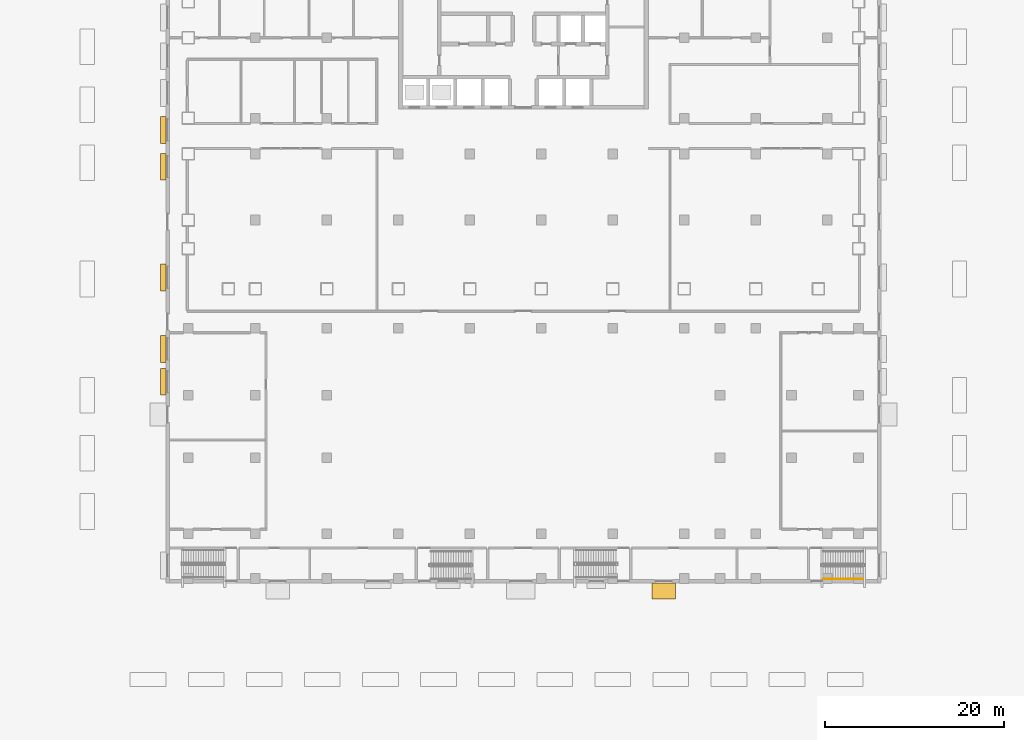
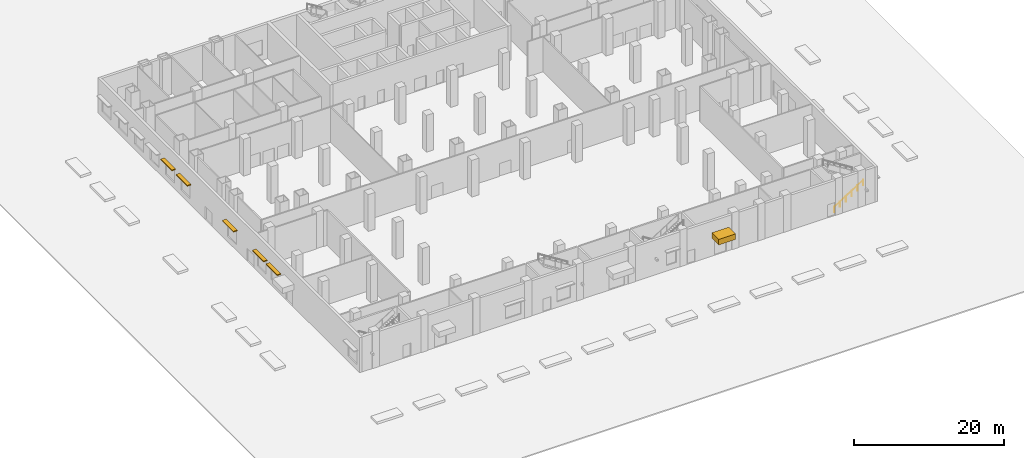
# One storey, part 13 of 18: 6 shading devices, 1 railing.
"""IFC4 building model written with IfcOpenShell, lengths in metres."""

from ifc_helpers import new_model, si_unit, direction, frame, frame_2d, origin, origin_2d, place, context, subcontext, project, spatial, rectangle, circle, extrude, material, layer, layer_set, type_object, element, save


model = new_model("IFC4")

# Units and contexts
model_context = context("Model", 3, precision=1e-05, world=origin(), true_north=direction((0.0, 1.0)))
body_context = subcontext(model_context, "Body", "Model", "MODEL_VIEW")
ifc_project = project(units=[si_unit("LENGTHUNIT", "METRE"), si_unit("AREAUNIT", "SQUARE_METRE"), si_unit("VOLUMEUNIT", "CUBIC_METRE"), si_unit("PLANEANGLEUNIT", "RADIAN"), si_unit("MASSUNIT", "GRAM", prefix="KILO")], contexts=[model_context])

# Site, building, storey
site_placement = place(None, origin())
site = spatial("IfcSite", under=ifc_project, at=site_placement, CompositionType="ELEMENT")
building_placement = place(site_placement, origin())
building = spatial("IfcBuilding", under=site, at=building_placement, Name="Vidyagriha Tower", CompositionType="ELEMENT")
storey_placement = place(building_placement, origin())
storey = spatial("IfcBuildingStorey", under=building, at=storey_placement, Name="L00", CompositionType="ELEMENT", Elevation=0.0)

# Shading devices
ifc_material_1 = material(Name="Precast concrete C40/50 with brick facing", Category="concrete")
ifc_layer_1 = layer(ifc_material_1, 0.14990234375)
ifc_layer_set_1 = layer_set([ifc_layer_1], Name="Precast concrete C40/50 with brick facing")
shading_device_type_1 = type_object("IfcShadingDeviceType", Name="Brick chhajja window hood", PredefinedType="AWNING", material=ifc_layer_set_1)
for number, where, z_axis, x_axis, name in (
    (1, (-40.300048828125, 0.6875, 3.300048828125), (0.0, 0.0, 1.0), (0.0, -1.0, 0.0), "Window hood L00 R05.5"),
    (2, (-40.300048828125, -3.4375, 3.300048828125), (0.0, 0.0, 1.0), (0.0, -1.0, 0.0), "Window hood L00 R05.6"),
    (3, (-40.300048828125, -15.8125, 3.300048828125), (0.0, 0.0, 1.0), (0.0, -1.0, 0.0), "Window hood L00 R05.9"),
    (4, (-40.300048828125, -23.833251953125, 3.300048828125), (0.0, 0.0, 1.0), (0.0, -1.0, 0.0), "Window hood L00 R05.11"),
    (5, (-40.300048828125, -27.5, 3.300048828125), (0.0, 0.0, 1.0), (0.0, -1.0, 0.0), "Window hood L00 R05.12"),
):
    element("IfcShadingDevice", number, at=place(storey_placement, frame(where, z_axis=z_axis, x_axis=x_axis)), inside=storey, type_object=shading_device_type_1, Name=name, PredefinedType="AWNING", context=body_context, shape_type="SweptSolid", body=[
        extrude(rectangle(XDim=3.0, YDim=0.60009765625, at=origin_2d()), origin(), (0.0, 0.0, 1.0), 0.14990234375),
    ])
ifc_material_2 = material(Name="Precast concrete C40/50 with brick facing", Category="concrete")
ifc_layer_2 = layer(ifc_material_2, 0.89990234375)
ifc_layer_set_2 = layer_set([ifc_layer_2], Name="Precast concrete C40/50 with brick facing")
shading_device_type_2 = type_object("IfcShadingDeviceType", Name="Brick-faced entrance portal hood", PredefinedType="USERDEFINED", material=ifc_layer_set_2)
shading_device_placement = place(storey_placement, frame((14.409912109375, -50.89990234375, 2.89990234375)))
element("IfcShadingDevice", 6, at=shading_device_placement, inside=storey, type_object=shading_device_type_2, Name="Family entrance portal hood E3", ObjectType="PORTAL", PredefinedType="USERDEFINED", context=body_context, shape_type="SweptSolid", body=[
    extrude(rectangle(XDim=2.60009765625, YDim=1.800048828125, at=frame_2d((1.300048828125, 0.0))), origin(), (0.0, 0.0, 1.0), 0.900146484375),
])

# Railing
ifc_material_3 = material(Name="Powder coated ASTM A500 Grade C steel handrail", Category="steel")
railing_type = type_object("IfcRailingType", Name="Podium Stair Handrail 900", PredefinedType="HANDRAIL", material=ifc_material_3)
railing_placement = place(storey_placement, frame((33.544921875, -49.550048828125, 0.176513671875)))
element("IfcRailing", 7, at=railing_placement, inside=storey, type_object=railing_type, Name="L00 PS2 stair handrail 1", PredefinedType="HANDRAIL", context=body_context, shape_type="SweptSolid", body=[
    extrude(circle(Radius=0.02392578125, at=origin_2d()), frame((0.0, 0.0, 0.8759765625), z_axis=(0.845997938375, 0.0, 0.533186166611), x_axis=(0.0, 1.0, 0.0)), (0.0, 0.0, 1.0), 5.29541015625),
    extrude(circle(Radius=0.02099609375, at=origin_2d()), origin(), (0.0, 0.0, 1.0), 0.851806640625),
    extrude(circle(Radius=0.02099609375, at=origin_2d()), frame((0.89599609375, 0.0, 0.564697265625)), (0.0, 0.0, 1.0), 0.851806640625),
    extrude(circle(Radius=0.02099609375, at=origin_2d()), frame((1.7919921875, 0.0, 1.12939453125)), (0.0, 0.0, 1.0), 0.851806640625),
    extrude(circle(Radius=0.02099609375, at=origin_2d()), frame((2.68798828125, 0.0, 1.694091796875)), (0.0, 0.0, 1.0), 0.851806640625),
    extrude(circle(Radius=0.02099609375, at=origin_2d()), frame((3.583984375, 0.0, 2.2587890625)), (0.0, 0.0, 1.0), 0.851806640625),
    extrude(circle(Radius=0.02099609375, at=origin_2d()), frame((4.47998046875, 0.0, 2.823486328125)), (0.0, 0.0, 1.0), 0.851806640625),
])

save(model, "model.ifc")
